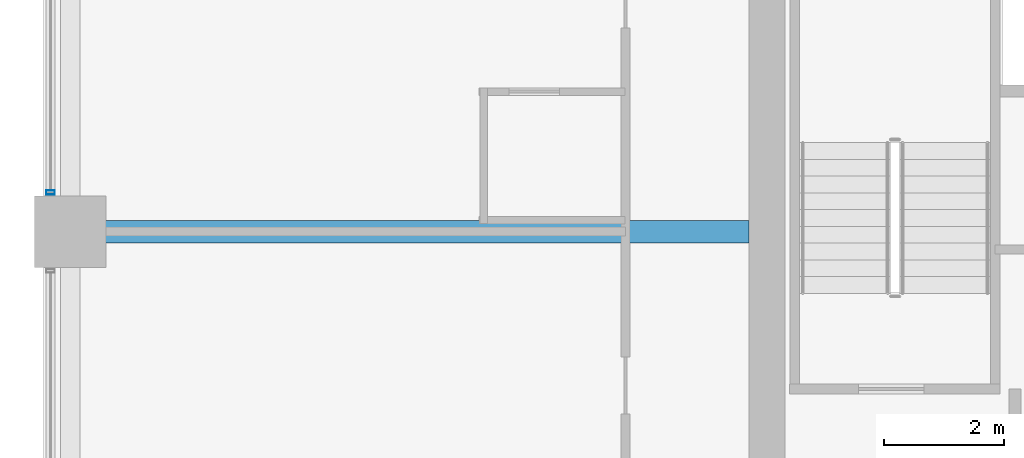
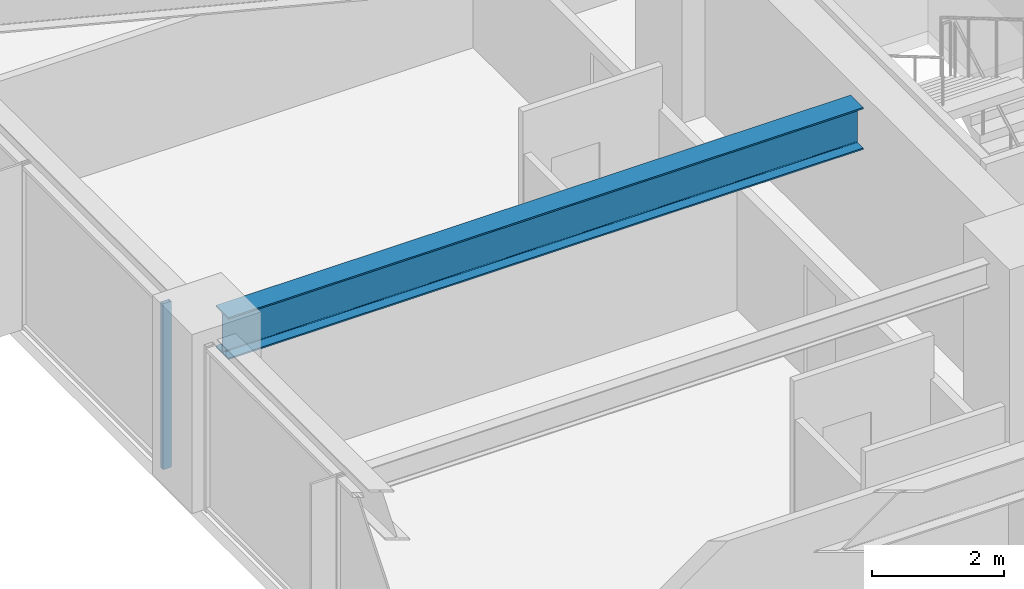
# One storey, part 10 of 38: 1 beam, 1 member, 1 element without a shape of its own.
"""IFC4 building model written with IfcOpenShell, lengths in metres."""

from ifc_helpers import new_model, si_unit, direction, frame, origin, origin_2d, place, context, subcontext, project, spatial, hollow_rectangle, i_section, extrude, material, material_profile, profile_set, type_object, element, aggregate, save


model = new_model("IFC4")

# Units and contexts
model_context = context("Model", 3, precision=1e-05, world=origin(), true_north=direction((0.0, 1.0)))
body_context = subcontext(model_context, "Body", "Model", "MODEL_VIEW")
ifc_project = project(units=[si_unit("LENGTHUNIT", "METRE"), si_unit("AREAUNIT", "SQUARE_METRE"), si_unit("VOLUMEUNIT", "CUBIC_METRE"), si_unit("PLANEANGLEUNIT", "RADIAN"), si_unit("MASSUNIT", "GRAM", prefix="KILO")], contexts=[model_context])

# Site, building, storey
site_placement = place(None, origin())
site = spatial("IfcSite", under=ifc_project, at=site_placement, CompositionType="ELEMENT")
building_placement = place(site_placement, origin())
building = spatial("IfcBuilding", under=site, at=building_placement, Name="Kolvaren Belvedere", CompositionType="ELEMENT")
storey_placement = place(building_placement, frame((0.0, 0.0, 30.39990234375)))
storey = spatial("IfcBuildingStorey", under=building, at=storey_placement, Name="L08", CompositionType="ELEMENT", Elevation=30.39990234375)

# Beam
ifc_material_1 = material(Name="Structural steel ASTM A992 Grade 50", Category="steel")
ifc_material_profile_1 = material_profile(ifc_material_1, i_section(OverallWidth=0.381103515625, OverallDepth=0.77294921875, WebThickness=0.0166015625, FlangeThickness=0.027099609375, FilletRadius=0.02392578125, at=origin_2d()), Name="W30X173")
ifc_profile_set_1 = profile_set([ifc_material_profile_1], Name="Structural steel ASTM A992 Grade 50")
beam_type = type_object("IfcBeamType", Name="BM-GIRD-W30X173", PredefinedType="BEAM", material=ifc_profile_set_1)
beam_placement = place(storey_placement, frame((-10.199951171875, 4.60009765625, 2.673583984375), z_axis=(-1.0, 0.0, 0.0), x_axis=(0.0, -1.0, 0.0)))
element("IfcBeam", 1, at=beam_placement, inside=storey, type_object=beam_type, Name="L08 West Radial Girder P", PredefinedType="BEAM", context=body_context, shape_type="SweptSolid", body=[
    extrude(i_section(OverallWidth=0.381103515625, OverallDepth=0.77294921875, WebThickness=0.0166015625, FlangeThickness=0.027099609375, FilletRadius=0.02392578125, at=origin_2d()), origin(), (0.0, 0.0, 1.0), 11.080078125),
])

# Curtain wall, member
ifc_material_2 = material(Name="Anodised pale-metal aluminium AA 6063-T6", Category="aluminium")
curtain_wall_type = type_object("IfcCurtainWallType", Name="CW-Z1-LOW", PredefinedType="NOTDEFINED", material=ifc_material_2)
curtain_wall_placement = place(storey_placement, origin())
curtain_wall = element("IfcCurtainWall", 2, at=curtain_wall_placement, inside=storey, type_object=curtain_wall_type, Name="L08 Unitised Curtain Wall FCW-L08-W-B3", PredefinedType="NOTDEFINED")
ifc_material_3 = material(Name="Anodised pale-metal aluminium AA 6063-T6", Category="aluminium")
ifc_material_profile_2 = material_profile(ifc_material_3, hollow_rectangle(XDim=0.070068359375, YDim=0.14990234375, WallThickness=0.004150390625, at=origin_2d()), Name="ALU-MUL-150X70")
ifc_profile_set_2 = profile_set([ifc_material_profile_2], Name="Anodised pale-metal aluminium AA 6063-T6")
member_type = type_object("IfcMemberType", Name="CW-MUL-150", PredefinedType="MULLION", material=ifc_profile_set_2)
member_placement = place(storey_placement, frame((-21.8798828125, 5.2548828125, 0.0), z_axis=(0.0, 0.0, 1.0), x_axis=(0.0, 1.0, 0.0)))
member = element("IfcMember", 3, at=member_placement, type_object=member_type, Name="FCW-L08-W-B3 Unitised Mullion 1", PredefinedType="MULLION", context=body_context, shape_type="SweptSolid", body=[
    extrude(hollow_rectangle(XDim=0.070068359375, YDim=0.14990234375, WallThickness=0.004150390625, at=origin_2d()), origin(), (0.0, 0.0, 1.0), 3.06005859375),
])
aggregate(curtain_wall, [member])

save(model, "model.ifc")
